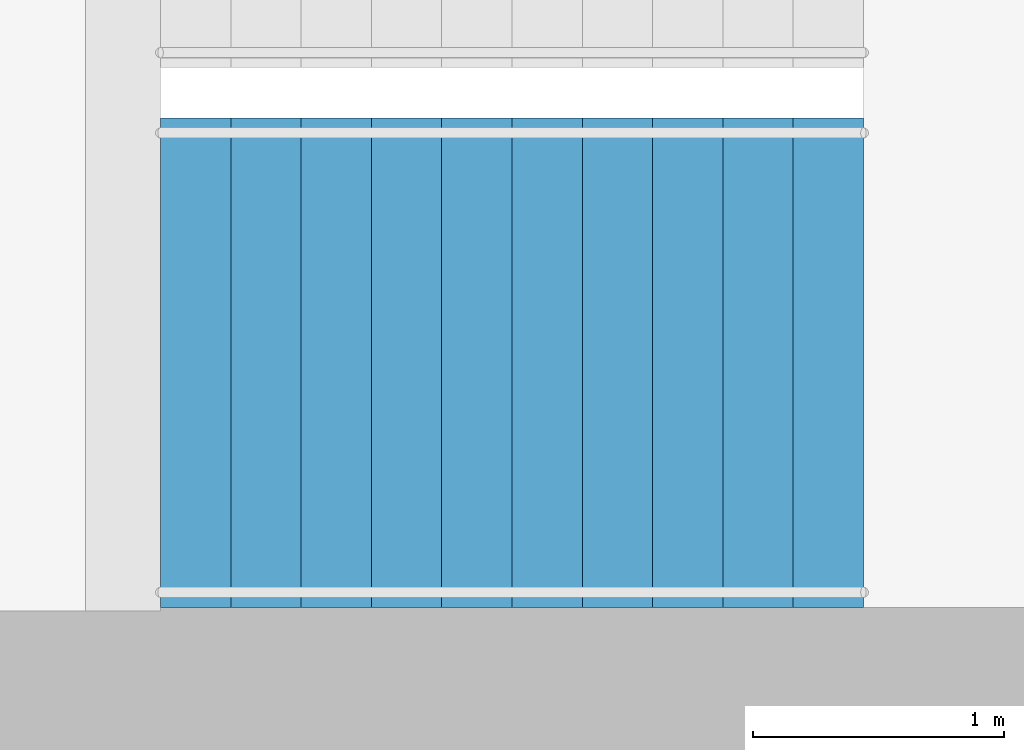
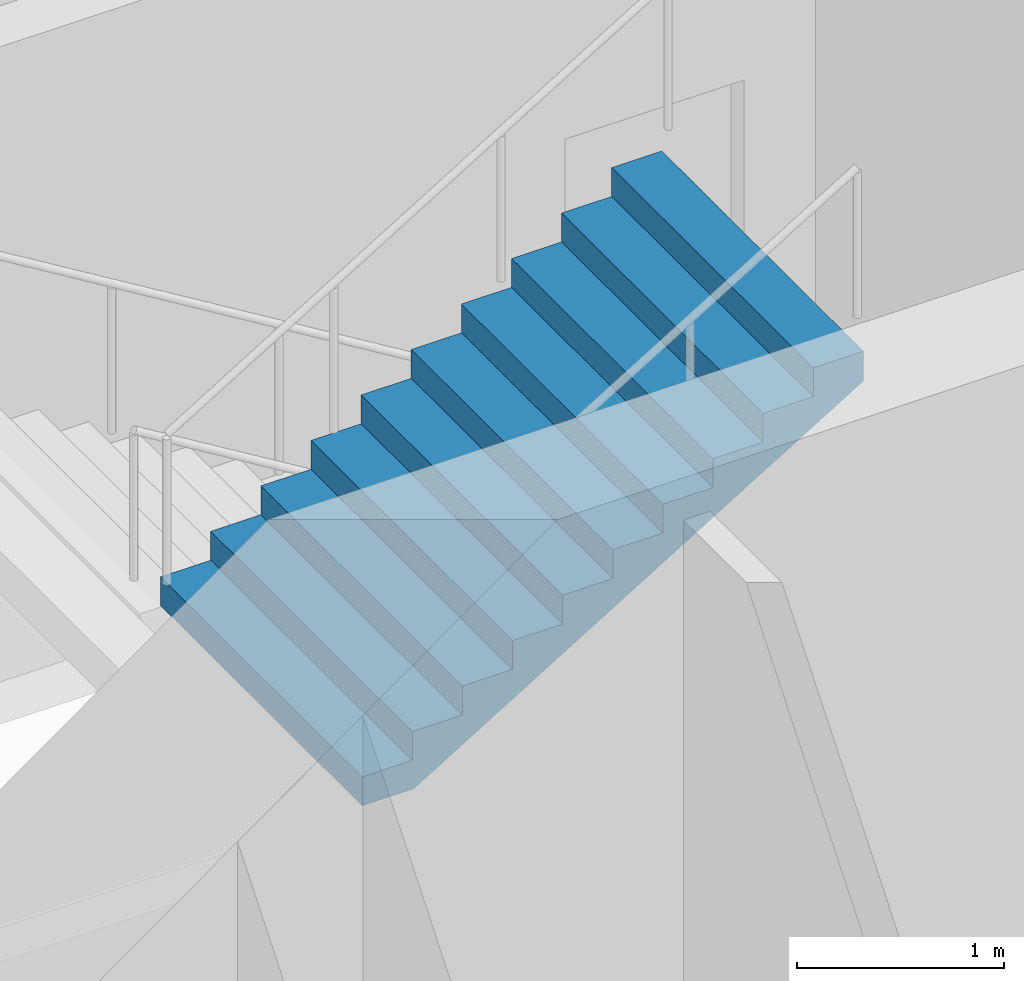
# One storey, part 21 of 23: 1 stair flight, 1 element without a shape of its own.
"""IFC4 building model written with IfcOpenShell, lengths in metres."""

import ifcopenshell
import ifcopenshell.guid

model = None  # the IFC model being written
_history = None  # IfcOwnerHistory: only IFC2X3 demands one
_inside = {}  # id of a spatial element -> (the spatial element, [elements in it])
_under = {}  # id of a project, library or spatial element -> (it, [spatial elements below it])
_declared = {}  # id of a project -> (the project, [libraries it declares])
_typed = {}  # id of a type object -> (the type object, [elements of that type])
_made_of = {}  # id of a material, layer set ... -> (it, [elements and type objects made of it])


def new_model(schema):
    """Start an empty IFC model of exactly this schema.

    Asked for "IFC4X3", IfcOpenShell would pick the latest addendum, in which some entities
    have other attributes; the version numbers below select the first issue.
    IFC2X3 requires an IfcOwnerHistory on every rooted entity: one is made here for all.
    """
    global model, _history
    if schema == "IFC4X3":
        model = ifcopenshell.file(schema_version=(4, 3, 0, 0))
    else:
        model = ifcopenshell.file(schema=schema)
    _inside.clear()
    _under.clear()
    _declared.clear()
    _typed.clear()
    _made_of.clear()
    _history = None
    if model.schema == "IFC2X3":
        org = make("IfcOrganization", Name="unknown")
        user = make(
            "IfcPersonAndOrganization",
            ThePerson=make("IfcPerson", FamilyName="unknown"),
            TheOrganization=org,
        )
        app = make(
            "IfcApplication",
            ApplicationDeveloper=org,
            Version="unknown",
            ApplicationFullName="unknown",
            ApplicationIdentifier="unknown",
        )
        _history = make(
            "IfcOwnerHistory",
            OwningUser=user,
            OwningApplication=app,
            ChangeAction="ADDED",
            CreationDate=0,
        )
    return model


def make(cls, **values):
    """One entity of the class cls with the attributes given. An attribute that is None is left unset."""
    return model.create_entity(
        cls, **{name: value for name, value in values.items() if value is not None}
    )


def rooted(cls, **values):
    """An entity with a GlobalId (a new one), such as an element, a storey or a relation."""
    return make(cls, GlobalId=ifcopenshell.guid.new(), OwnerHistory=_history, **values)


def si_unit(unit_type, name, prefix=None):
    """IfcSIUnit, for example si_unit("LENGTHUNIT", "METRE", prefix="MILLI")."""
    return make("IfcSIUnit", UnitType=unit_type, Prefix=prefix, Name=name)


def assignment(units):
    """IfcUnitAssignment: the units of a project."""
    return None if units is None else make("IfcUnitAssignment", Units=units)


def point(xyz):
    """IfcCartesianPoint."""
    return None if xyz is None else make("IfcCartesianPoint", Coordinates=xyz)


def direction(xyz):
    """IfcDirection."""
    return None if xyz is None else make("IfcDirection", DirectionRatios=xyz)


def frame(location, z_axis=None, x_axis=None):
    """IfcAxis2Placement3D, a coordinate frame: its origin and axes. An axis left out is left unset."""
    return make(
        "IfcAxis2Placement3D",
        Location=point(location),
        Axis=direction(z_axis),
        RefDirection=direction(x_axis),
    )


def origin():
    """The frame at (0, 0, 0) with its axes left unset."""
    return frame((0.0, 0.0, 0.0))


def place(relative_to, where):
    """IfcLocalPlacement: puts the frame where relative to a parent placement (None: the world)."""
    return make(
        "IfcLocalPlacement", PlacementRelTo=relative_to, RelativePlacement=where
    )


def context(
    kind, dimensions, precision=None, world=None, true_north=None, identifier=None
):
    """IfcGeometricRepresentationContext, for example the 3D "Model" context."""
    return make(
        "IfcGeometricRepresentationContext",
        ContextIdentifier=identifier,
        ContextType=kind,
        CoordinateSpaceDimension=dimensions,
        Precision=precision,
        WorldCoordinateSystem=world,
        TrueNorth=true_north,
    )


def subcontext(parent, identifier, kind, view, scale=None):
    """IfcGeometricRepresentationSubContext, for example "Body" below "Model"."""
    return make(
        "IfcGeometricRepresentationSubContext",
        ContextIdentifier=identifier,
        ContextType=kind,
        ParentContext=parent,
        TargetScale=scale,
        TargetView=view,
    )


def project(units=None, contexts=None):
    """IfcProject with its units and contexts."""
    return rooted(
        "IfcProject",
        Name="project",
        RepresentationContexts=contexts,
        UnitsInContext=assignment(units),
    )


def spatial(cls, under=None, at=None, **own):
    """A site, building, storey or space (cls), placed at a placement, below another one or the project."""
    s = rooted(cls, ObjectPlacement=at, **own)
    if under is not None:
        _under.setdefault(under.id(), (under, []))[1].append(s)
    return s


def point_list(points):
    """IfcCartesianPointList2D or 3D."""
    cls = (
        "IfcCartesianPointList2D" if len(points[0]) == 2 else "IfcCartesianPointList3D"
    )
    return make(cls, CoordList=points)


def triangles(points, corners, closed=None, point_numbers=None):
    """IfcTriangulatedFaceSet: each triangle names its three corners, points numbered from 1."""
    return make(
        "IfcTriangulatedFaceSet",
        Coordinates=point_list(points),
        Closed=closed,
        CoordIndex=corners,
        PnIndex=point_numbers,
    )


def shape(context_of_items, identifier, shape_type, items):
    """IfcShapeRepresentation: the items that make up one representation, for example the "Body"."""
    return make(
        "IfcShapeRepresentation",
        ContextOfItems=context_of_items,
        RepresentationIdentifier=identifier,
        RepresentationType=shape_type,
        Items=items,
    )


def material(Name=None, Category=None):
    """IfcMaterial."""
    return make("IfcMaterial", Name=Name, Category=Category)


def made_of(thing, what):
    """Note that an element or type object is made of a material, layer set ...; save() writes the relation."""
    if what is not None:
        _made_of.setdefault(what.id(), (what, []))[1].append(thing)
    return thing


def type_object(cls, material=None, **own):
    """A type object (cls), such as IfcWallType, which elements share."""
    return made_of(rooted(cls, **own), material)


def element(
    cls,
    number,
    at=None,
    inside=None,
    cuts=None,
    type_object=None,
    material=None,
    context=None,
    identifier="Body",
    shape_type=None,
    held_by="IfcProductDefinitionShape",
    body=None,
    shapes=None,
    **own,
):
    """One element of the class cls, such as IfcWall. Its Tag is "e" and its number.

    at: its placement. inside: the storey or other place that contains it. cuts: it is an
    opening in that element (IfcRelVoidsElement). A single representation is given by context,
    identifier, shape_type and body (its items); several are given by shapes. held_by: the class
    of the entity that holds the representations. save() writes the other relations.
    """
    e = rooted(cls, Tag="e%d" % number, ObjectPlacement=at, **own)
    if body is not None:
        shapes = [shape(context, identifier, shape_type, body)]
    if shapes is not None:
        e.Representation = make(held_by, Representations=shapes)
    if inside is not None:
        _inside.setdefault(inside.id(), (inside, []))[1].append(e)
    if cuts is not None:
        rooted(
            "IfcRelVoidsElement", RelatingBuildingElement=cuts, RelatedOpeningElement=e
        )
    if type_object is not None:
        _typed.setdefault(type_object.id(), (type_object, []))[1].append(e)
    return made_of(e, material)


def aggregate(whole, parts):
    """IfcRelAggregates: a whole, such as a stair, and the parts it consists of."""
    return rooted("IfcRelAggregates", RelatingObject=whole, RelatedObjects=parts)


def save(model, path):
    """Write the relations noted so far, then the file.

    IfcRelAggregates (storeys below a building ...), IfcRelContainedInSpatialStructure (elements
    in a storey), IfcRelDefinesByType, IfcRelAssociatesMaterial and IfcRelDeclares: one each for
    every whole, place, type object, material and project.
    """
    for whole, parts in _under.values():
        aggregate(whole, parts)
    for where, things in _inside.values():
        rooted(
            "IfcRelContainedInSpatialStructure",
            RelatedElements=things,
            RelatingStructure=where,
        )
    for kind, things in _typed.values():
        rooted("IfcRelDefinesByType", RelatedObjects=things, RelatingType=kind)
    for what, things in _made_of.values():
        rooted("IfcRelAssociatesMaterial", RelatedObjects=things, RelatingMaterial=what)
    for by, libraries in _declared.values():
        rooted("IfcRelDeclares", RelatingContext=by, RelatedDefinitions=libraries)
    model.write(path)


model = new_model("IFC4")

# Units and contexts
model_context = context("Model", 3, precision=1e-05, world=origin(), true_north=direction((0.0, 1.0)))
body_context = subcontext(model_context, "Body", "Model", "MODEL_VIEW")
ifc_project = project(units=[si_unit("LENGTHUNIT", "METRE"), si_unit("AREAUNIT", "SQUARE_METRE"), si_unit("VOLUMEUNIT", "CUBIC_METRE"), si_unit("PLANEANGLEUNIT", "RADIAN"), si_unit("MASSUNIT", "GRAM", prefix="KILO")], contexts=[model_context])

# Site, building, storey
site_placement = place(None, origin())
site = spatial("IfcSite", under=ifc_project, at=site_placement, CompositionType="ELEMENT")
building_placement = place(site_placement, origin())
building = spatial("IfcBuilding", under=site, at=building_placement, Name="Orbita Commons", CompositionType="ELEMENT")
storey_placement = place(building_placement, frame((0.0, 0.0, 220.300048828125)))
storey = spatial("IfcBuildingStorey", under=building, at=storey_placement, Name="L54", CompositionType="ELEMENT", Elevation=220.300048828125)

# Stair, stair flight
ifc_material_1 = material(Name="Precast concrete C40/50", Category="concrete")
stair_type = type_object("IfcStairType", Name="Exit stair S2 2 flights 11 risers 170", PredefinedType="HALF_TURN_STAIR", material=ifc_material_1)
stair_placement = place(storey_placement, origin())
stair = element("IfcStair", 1, at=stair_placement, inside=storey, type_object=stair_type, Name="Exit stair S2 L54", PredefinedType="HALF_TURN_STAIR")
ifc_material_2 = material(Name="Precast concrete C40/50", Category="concrete")
stair_flight_type = type_object("IfcStairFlightType", Name="Stair flight 11 risers 170 x 280", PredefinedType="STRAIGHT", material=ifc_material_2)
stair_flight_placement = place(storey_placement, frame((60.75, 27.125, 1.875), z_axis=(0.0, 0.0, 1.0), x_axis=(1.0, 0.0, 0.0)))
stair_flight = element("IfcStairFlight", 2, at=stair_flight_placement, type_object=stair_flight_type, Name="S2 flight 2", NumberOfRisers=11, NumberOfTreads=10, PredefinedType="STRAIGHT", RiserHeight=0.170454545, TreadLength=0.28, context=body_context, shape_type="Tessellation", body=[
    triangles([(0.0, 0.974976, 0.0), (0.0, 0.974976, 0.021307), (0.0, 0.81248, 0.021307), (0.0, 0.81248, 0.0), (0.0, 0.649984, 0.021307), (0.0, 0.649984, 0.0), (0.0, 0.487488, 0.021307), (0.0, 0.487488, 0.0), (0.0, 0.324992, 0.021307), (0.0, 0.324992, 0.0), (0.0, 0.162496, 0.021307), (0.0, 0.162496, 0.0), (0.0, 0.0, 0.021307), (0.0, 0.0, 0.0), (0.0, -0.162496, 0.021307), (0.0, -0.162496, 0.0), (0.0, -0.324992, 0.021307), (0.0, -0.324992, 0.0), (0.0, -0.487488, 0.021307), (0.0, -0.487488, 0.0), (0.0, -0.649984, 0.021307), (0.0, -0.649984, 0.0), (0.0, -0.81248, 0.021307), (0.0, -0.81248, 0.0), (0.0, -0.974976, 0.021307), (0.0, -0.974976, 0.0), (0.0, 0.974976, 0.042614), (0.0, 0.81248, 0.042614), (0.0, 0.649984, 0.042614), (0.0, 0.487488, 0.042614), (0.0, 0.324992, 0.042614), (0.0, 0.162496, 0.042614), (0.0, 0.0, 0.042614), (0.0, -0.162496, 0.042614), (0.0, -0.324992, 0.042614), (0.0, -0.487488, 0.042614), (0.0, -0.649984, 0.042614), (0.0, -0.81248, 0.042614), (0.0, -0.974976, 0.042614), (0.0, 0.974976, 0.06392), (0.0, 0.81248, 0.06392), (0.0, 0.649984, 0.06392), (0.0, 0.487488, 0.06392), (0.0, 0.324992, 0.06392), (0.0, 0.162496, 0.06392), (0.0, 0.0, 0.06392), (0.0, -0.162496, 0.06392), (0.0, -0.324992, 0.06392), (0.0, -0.487488, 0.06392), (0.0, -0.649984, 0.06392), (0.0, -0.81248, 0.06392), (0.0, -0.974976, 0.06392), (0.0, 0.974976, 0.085227), (0.0, 0.81248, 0.085227), (0.0, 0.649984, 0.085227), (0.0, 0.487488, 0.085227), (0.0, 0.324992, 0.085227), (0.0, 0.162496, 0.085227), (0.0, 0.0, 0.085227), (0.0, -0.162496, 0.085227), (0.0, -0.324992, 0.085227), (0.0, -0.487488, 0.085227), (0.0, -0.649984, 0.085227), (0.0, -0.81248, 0.085227), (0.0, -0.974976, 0.085227), (0.0, 0.974976, 0.106534), (0.0, 0.81248, 0.106534), (0.0, 0.649984, 0.106534), (0.0, 0.487488, 0.106534), (0.0, 0.324992, 0.106534), (0.0, 0.162496, 0.106534), (0.0, 0.0, 0.106534), (0.0, -0.162496, 0.106534), (0.0, -0.324992, 0.106534), (0.0, -0.487488, 0.106534), (0.0, -0.649984, 0.106534), (0.0, -0.81248, 0.106534), (0.0, -0.974976, 0.106534), (0.0, 0.974976, 0.127841), (0.0, 0.81248, 0.127841), (0.0, 0.649984, 0.127841), (0.0, 0.487488, 0.127841), (0.0, 0.324992, 0.127841), (0.0, 0.162496, 0.127841), (0.0, 0.0, 0.127841), (0.0, -0.162496, 0.127841), (0.0, -0.324992, 0.127841), (0.0, -0.487488, 0.127841), (0.0, -0.649984, 0.127841), (0.0, -0.81248, 0.127841), (0.0, -0.974976, 0.127841), (0.0, 0.974976, 0.149148), (0.0, 0.81248, 0.149148), (0.0, 0.649984, 0.149148), (0.0, 0.487488, 0.149148), (0.0, 0.324992, 0.149148), (0.0, 0.162496, 0.149148), (0.0, 0.0, 0.149148), (0.0, -0.162496, 0.149148), (0.0, -0.324992, 0.149148), (0.0, -0.487488, 0.149148), (0.0, -0.649984, 0.149148), (0.0, -0.81248, 0.149148), (0.0, -0.974976, 0.149148), (0.0, 0.974976, 0.170455), (0.0, 0.81248, 0.170455), (0.0, 0.649984, 0.170455), (0.0, 0.487488, 0.170455), (0.0, 0.324992, 0.170455), (0.0, 0.162496, 0.170455), (0.0, 0.0, 0.170455), (0.0, -0.162496, 0.170455), (0.0, -0.324992, 0.170455), (0.0, -0.487488, 0.170455), (0.0, -0.649984, 0.170455), (0.0, -0.81248, 0.170455), (0.0, -0.974976, 0.170455), (0.28, 0.974976, 0.170455), (0.28, 0.81248, 0.170455), (0.28, 0.649984, 0.170455), (0.28, 0.487488, 0.170455), (0.28, 0.324992, 0.170455), (0.28, 0.162496, 0.170455), (0.28, 0.0, 0.170455), (0.28, -0.162496, 0.170455), (0.28, -0.324992, 0.170455), (0.28, -0.487488, 0.170455), (0.28, -0.649984, 0.170455), (0.28, -0.81248, 0.170455), (0.28, -0.974976, 0.170455), (0.28, 0.974976, 0.340909), (0.28, 0.81248, 0.340909), (0.28, 0.649984, 0.340909), (0.28, 0.487488, 0.340909), (0.28, 0.324992, 0.340909), (0.28, 0.162496, 0.340909), (0.28, 0.0, 0.340909), (0.28, -0.162496, 0.340909), (0.28, -0.324992, 0.340909), (0.28, -0.487488, 0.340909), (0.28, -0.649984, 0.340909), (0.28, -0.81248, 0.340909), (0.28, -0.974976, 0.340909), (0.56, 0.974976, 0.340909), (0.56, 0.81248, 0.340909), (0.56, 0.649984, 0.340909), (0.56, 0.487488, 0.340909), (0.56, 0.324992, 0.340909), (0.56, 0.162496, 0.340909), (0.56, 0.0, 0.340909), (0.56, -0.162496, 0.340909), (0.56, -0.324992, 0.340909), (0.56, -0.487488, 0.340909), (0.56, -0.649984, 0.340909), (0.56, -0.81248, 0.340909), (0.56, -0.974976, 0.340909), (0.56, 0.974976, 0.511364), (0.56, 0.81248, 0.511364), (0.56, 0.649984, 0.511364), (0.56, 0.487488, 0.511364), (0.56, 0.324992, 0.511364), (0.56, 0.162496, 0.511364), (0.56, 0.0, 0.511364), (0.56, -0.162496, 0.511364), (0.56, -0.324992, 0.511364), (0.56, -0.487488, 0.511364), (0.56, -0.649984, 0.511364), (0.56, -0.81248, 0.511364), (0.56, -0.974976, 0.511364), (0.84, 0.974976, 0.511364), (0.84, 0.81248, 0.511364), (0.84, 0.649984, 0.511364), (0.84, 0.487488, 0.511364), (0.84, 0.324992, 0.511364), (0.84, 0.162496, 0.511364), (0.84, 0.0, 0.511364), (0.84, -0.162496, 0.511364), (0.84, -0.324992, 0.511364), (0.84, -0.487488, 0.511364), (0.84, -0.649984, 0.511364), (0.84, -0.81248, 0.511364), (0.84, -0.974976, 0.511364), (0.84, 0.974976, 0.681818), (0.84, 0.81248, 0.681818), (0.84, 0.649984, 0.681818), (0.84, 0.487488, 0.681818), (0.84, 0.324992, 0.681818), (0.84, 0.162496, 0.681818), (0.84, 0.0, 0.681818), (0.84, -0.162496, 0.681818), (0.84, -0.324992, 0.681818), (0.84, -0.487488, 0.681818), (0.84, -0.649984, 0.681818), (0.84, -0.81248, 0.681818), (0.84, -0.974976, 0.681818), (1.12, 0.974976, 0.681818), (1.12, 0.81248, 0.681818), (1.12, 0.649984, 0.681818), (1.12, 0.487488, 0.681818), (1.12, 0.324992, 0.681818), (1.12, 0.162496, 0.681818), (1.12, 0.0, 0.681818), (1.12, -0.162496, 0.681818), (1.12, -0.324992, 0.681818), (1.12, -0.487488, 0.681818), (1.12, -0.649984, 0.681818), (1.12, -0.81248, 0.681818), (1.12, -0.974976, 0.681818), (1.12, 0.974976, 0.852273), (1.12, 0.81248, 0.852273), (1.12, 0.649984, 0.852273), (1.12, 0.487488, 0.852273), (1.12, 0.324992, 0.852273), (1.12, 0.162496, 0.852273), (1.12, 0.0, 0.852273), (1.12, -0.162496, 0.852273), (1.12, -0.324992, 0.852273), (1.12, -0.487488, 0.852273), (1.12, -0.649984, 0.852273), (1.12, -0.81248, 0.852273), (1.12, -0.974976, 0.852273), (1.4, 0.974976, 0.852273), (1.4, 0.81248, 0.852273), (1.4, 0.649984, 0.852273), (1.4, 0.487488, 0.852273), (1.4, 0.324992, 0.852273), (1.4, 0.162496, 0.852273), (1.4, 0.0, 0.852273), (1.4, -0.162496, 0.852273), (1.4, -0.324992, 0.852273), (1.4, -0.487488, 0.852273), (1.4, -0.649984, 0.852273), (1.4, -0.81248, 0.852273), (1.4, -0.974976, 0.852273), (1.4, 0.974976, 1.022727), (1.4, 0.81248, 1.022727), (1.4, 0.649984, 1.022727), (1.4, 0.487488, 1.022727), (1.4, 0.324992, 1.022727), (1.4, 0.162496, 1.022727), (1.4, 0.0, 1.022727), (1.4, -0.162496, 1.022727), (1.4, -0.324992, 1.022727), (1.4, -0.487488, 1.022727), (1.4, -0.649984, 1.022727), (1.4, -0.81248, 1.022727), (1.4, -0.974976, 1.022727), (1.68, 0.974976, 1.022727), (1.68, 0.81248, 1.022727), (1.68, 0.649984, 1.022727), (1.68, 0.487488, 1.022727), (1.68, 0.324992, 1.022727), (1.68, 0.162496, 1.022727), (1.68, 0.0, 1.022727), (1.68, -0.162496, 1.022727), (1.68, -0.324992, 1.022727), (1.68, -0.487488, 1.022727), (1.68, -0.649984, 1.022727), (1.68, -0.81248, 1.022727), (1.68, -0.974976, 1.022727), (1.68, 0.974976, 1.193182), (1.68, 0.81248, 1.193182), (1.68, 0.649984, 1.193182), (1.68, 0.487488, 1.193182), (1.68, 0.324992, 1.193182), (1.68, 0.162496, 1.193182), (1.68, 0.0, 1.193182), (1.68, -0.162496, 1.193182), (1.68, -0.324992, 1.193182), (1.68, -0.487488, 1.193182), (1.68, -0.649984, 1.193182), (1.68, -0.81248, 1.193182), (1.68, -0.974976, 1.193182), (1.96, 0.974976, 1.193182), (1.96, 0.81248, 1.193182), (1.96, 0.649984, 1.193182), (1.96, 0.487488, 1.193182), (1.96, 0.324992, 1.193182), (1.96, 0.162496, 1.193182), (1.96, 0.0, 1.193182), (1.96, -0.162496, 1.193182), (1.96, -0.324992, 1.193182), (1.96, -0.487488, 1.193182), (1.96, -0.649984, 1.193182), (1.96, -0.81248, 1.193182), (1.96, -0.974976, 1.193182), (1.96, 0.974976, 1.363636), (1.96, 0.81248, 1.363636), (1.96, 0.649984, 1.363636), (1.96, 0.487488, 1.363636), (1.96, 0.324992, 1.363636), (1.96, 0.162496, 1.363636), (1.96, 0.0, 1.363636), (1.96, -0.162496, 1.363636), (1.96, -0.324992, 1.363636), (1.96, -0.487488, 1.363636), (1.96, -0.649984, 1.363636), (1.96, -0.81248, 1.363636), (1.96, -0.974976, 1.363636), (2.24, 0.974976, 1.363636), (2.24, 0.81248, 1.363636), (2.24, 0.649984, 1.363636), (2.24, 0.487488, 1.363636), (2.24, 0.324992, 1.363636), (2.24, 0.162496, 1.363636), (2.24, 0.0, 1.363636), (2.24, -0.162496, 1.363636), (2.24, -0.324992, 1.363636), (2.24, -0.487488, 1.363636), (2.24, -0.649984, 1.363636), (2.24, -0.81248, 1.363636), (2.24, -0.974976, 1.363636), (2.24, 0.974976, 1.534091), (2.24, 0.81248, 1.534091), (2.24, 0.649984, 1.534091), (2.24, 0.487488, 1.534091), (2.24, 0.324992, 1.534091), (2.24, 0.162496, 1.534091), (2.24, 0.0, 1.534091), (2.24, -0.162496, 1.534091), (2.24, -0.324992, 1.534091), (2.24, -0.487488, 1.534091), (2.24, -0.649984, 1.534091), (2.24, -0.81248, 1.534091), (2.24, -0.974976, 1.534091), (2.52, 0.974976, 1.534091), (2.52, 0.81248, 1.534091), (2.52, 0.649984, 1.534091), (2.52, 0.487488, 1.534091), (2.52, 0.324992, 1.534091), (2.52, 0.162496, 1.534091), (2.52, 0.0, 1.534091), (2.52, -0.162496, 1.534091), (2.52, -0.324992, 1.534091), (2.52, -0.487488, 1.534091), (2.52, -0.649984, 1.534091), (2.52, -0.81248, 1.534091), (2.52, -0.974976, 1.534091), (2.52, 0.974976, 1.704545), (2.52, 0.81248, 1.704545), (2.52, 0.649984, 1.704545), (2.52, 0.487488, 1.704545), (2.52, 0.324992, 1.704545), (2.52, 0.162496, 1.704545), (2.52, 0.0, 1.704545), (2.52, -0.162496, 1.704545), (2.52, -0.324992, 1.704545), (2.52, -0.487488, 1.704545), (2.52, -0.649984, 1.704545), (2.52, -0.81248, 1.704545), (2.52, -0.974976, 1.704545), (2.8, 0.974976, 1.704545), (2.8, 0.81248, 1.704545), (2.8, 0.649984, 1.704545), (2.8, 0.487488, 1.704545), (2.8, 0.324992, 1.704545), (2.8, 0.162496, 1.704545), (2.8, 0.0, 1.704545), (2.8, -0.162496, 1.704545), (2.8, -0.324992, 1.704545), (2.8, -0.487488, 1.704545), (2.8, -0.649984, 1.704545), (2.8, -0.81248, 1.704545), (2.8, -0.974976, 1.704545), (2.8, 0.974976, 1.682609), (2.8, 0.81248, 1.682609), (2.8, 0.649984, 1.682609), (2.8, 0.487488, 1.682609), (2.8, 0.324992, 1.682609), (2.8, 0.162496, 1.682609), (2.8, 0.0, 1.682609), (2.8, -0.162496, 1.682609), (2.8, -0.324992, 1.682609), (2.8, -0.487488, 1.682609), (2.8, -0.649984, 1.682609), (2.8, -0.81248, 1.682609), (2.8, -0.974976, 1.682609), (2.8, 0.974976, 1.660672), (2.8, 0.81248, 1.660672), (2.8, 0.649984, 1.660672), (2.8, 0.487488, 1.660672), (2.8, 0.324992, 1.660672), (2.8, 0.162496, 1.660672), (2.8, 0.0, 1.660672), (2.8, -0.162496, 1.660672), (2.8, -0.324992, 1.660672), (2.8, -0.487488, 1.660672), (2.8, -0.649984, 1.660672), (2.8, -0.81248, 1.660672), (2.8, -0.974976, 1.660672), (2.8, 0.974976, 1.638735), (2.8, 0.81248, 1.638735), (2.8, 0.649984, 1.638735), (2.8, 0.487488, 1.638735), (2.8, 0.324992, 1.638735), (2.8, 0.162496, 1.638735), (2.8, 0.0, 1.638735), (2.8, -0.162496, 1.638735), (2.8, -0.324992, 1.638735), (2.8, -0.487488, 1.638735), (2.8, -0.649984, 1.638735), (2.8, -0.81248, 1.638735), (2.8, -0.974976, 1.638735), (2.8, 0.974976, 1.616798), (2.8, 0.81248, 1.616798), (2.8, 0.649984, 1.616798), (2.8, 0.487488, 1.616798), (2.8, 0.324992, 1.616798), (2.8, 0.162496, 1.616798), (2.8, 0.0, 1.616798), (2.8, -0.162496, 1.616798), (2.8, -0.324992, 1.616798), (2.8, -0.487488, 1.616798), (2.8, -0.649984, 1.616798), (2.8, -0.81248, 1.616798), (2.8, -0.974976, 1.616798), (2.8, 0.974976, 1.594861), (2.8, 0.81248, 1.594861), (2.8, 0.649984, 1.594861), (2.8, 0.487488, 1.594861), (2.8, 0.324992, 1.594861), (2.8, 0.162496, 1.594861), (2.8, 0.0, 1.594861), (2.8, -0.162496, 1.594861), (2.8, -0.324992, 1.594861), (2.8, -0.487488, 1.594861), (2.8, -0.649984, 1.594861), (2.8, -0.81248, 1.594861), (2.8, -0.974976, 1.594861), (2.8, 0.974976, 1.572925), (2.8, 0.81248, 1.572925), (2.8, 0.649984, 1.572925), (2.8, 0.487488, 1.572925), (2.8, 0.324992, 1.572925), (2.8, 0.162496, 1.572925), (2.8, 0.0, 1.572925), (2.8, -0.162496, 1.572925), (2.8, -0.324992, 1.572925), (2.8, -0.487488, 1.572925), (2.8, -0.649984, 1.572925), (2.8, -0.81248, 1.572925), (2.8, -0.974976, 1.572925), (2.8, 0.974976, 1.550988), (2.8, 0.81248, 1.550988), (2.8, 0.649984, 1.550988), (2.8, 0.487488, 1.550988), (2.8, 0.324992, 1.550988), (2.8, 0.162496, 1.550988), (2.8, 0.0, 1.550988), (2.8, -0.162496, 1.550988), (2.8, -0.324992, 1.550988), (2.8, -0.487488, 1.550988), (2.8, -0.649984, 1.550988), (2.8, -0.81248, 1.550988), (2.8, -0.974976, 1.550988), (2.8, 0.974976, 1.529051), (2.8, 0.81248, 1.529051), (2.8, 0.649984, 1.529051), (2.8, 0.487488, 1.529051), (2.8, 0.324992, 1.529051), (2.8, 0.162496, 1.529051), (2.8, 0.0, 1.529051), (2.8, -0.162496, 1.529051), (2.8, -0.324992, 1.529051), (2.8, -0.487488, 1.529051), (2.8, -0.649984, 1.529051), (2.8, -0.81248, 1.529051), (2.8, -0.974976, 1.529051), (0.288279, 0.974976, 0.0), (0.288279, 0.81248, 0.0), (0.288279, 0.649984, 0.0), (0.288279, 0.487488, 0.0), (0.288279, 0.324992, 0.0), (0.288279, 0.162496, 0.0), (0.288279, 0.0, 0.0), (0.288279, -0.162496, 0.0), (0.288279, -0.324992, 0.0), (0.288279, -0.487488, 0.0), (0.288279, -0.649984, 0.0), (0.288279, -0.81248, 0.0), (0.288279, -0.974976, 0.0)], [[3, 2, 1], [4, 3, 1], [5, 3, 4], [6, 5, 4], [7, 5, 6], [8, 7, 6], [9, 7, 8], [10, 9, 8], [11, 9, 10], [12, 11, 10], [13, 11, 12], [14, 13, 12], [15, 13, 14], [16, 15, 14], [17, 15, 16], [18, 17, 16], [19, 17, 18], [20, 19, 18], [21, 19, 20], [22, 21, 20], [23, 21, 22], [24, 23, 22], [25, 23, 24], [26, 25, 24], [28, 27, 2], [3, 28, 2], [29, 28, 3], [5, 29, 3], [30, 29, 5], [7, 30, 5], [31, 30, 7], [9, 31, 7], [32, 31, 9], [11, 32, 9], [33, 32, 11], [13, 33, 11], [34, 33, 13], [15, 34, 13], [35, 34, 15], [17, 35, 15], [36, 35, 17], [19, 36, 17], [37, 36, 19], [21, 37, 19], [38, 37, 21], [23, 38, 21], [39, 38, 23], [25, 39, 23], [41, 40, 27], [28, 41, 27], [42, 41, 28], [29, 42, 28], [43, 42, 29], [30, 43, 29], [44, 43, 30], [31, 44, 30], [45, 44, 31], [32, 45, 31], [46, 45, 32], [33, 46, 32], [47, 46, 33], [34, 47, 33], [48, 47, 34], [35, 48, 34], [49, 48, 35], [36, 49, 35], [50, 49, 36], [37, 50, 36], [51, 50, 37], [38, 51, 37], [52, 51, 38], [39, 52, 38], [54, 53, 40], [41, 54, 40], [55, 54, 41], [42, 55, 41], [56, 55, 42], [43, 56, 42], [57, 56, 43], [44, 57, 43], [58, 57, 44], [45, 58, 44], [59, 58, 45], [46, 59, 45], [60, 59, 46], [47, 60, 46], [61, 60, 47], [48, 61, 47], [62, 61, 48], [49, 62, 48], [63, 62, 49], [50, 63, 49], [64, 63, 50], [51, 64, 50], [65, 64, 51], [52, 65, 51], [67, 66, 53], [54, 67, 53], [68, 67, 54], [55, 68, 54], [69, 68, 55], [56, 69, 55], [70, 69, 56], [57, 70, 56], [71, 70, 57], [58, 71, 57], [72, 71, 58], [59, 72, 58], [73, 72, 59], [60, 73, 59], [74, 73, 60], [61, 74, 60], [75, 74, 61], [62, 75, 61], [76, 75, 62], [63, 76, 62], [77, 76, 63], [64, 77, 63], [78, 77, 64], [65, 78, 64], [80, 79, 66], [67, 80, 66], [81, 80, 67], [68, 81, 67], [82, 81, 68], [69, 82, 68], [83, 82, 69], [70, 83, 69], [84, 83, 70], [71, 84, 70], [85, 84, 71], [72, 85, 71], [86, 85, 72], [73, 86, 72], [87, 86, 73], [74, 87, 73], [88, 87, 74], [75, 88, 74], [89, 88, 75], [76, 89, 75], [90, 89, 76], [77, 90, 76], [91, 90, 77], [78, 91, 77], [93, 92, 79], [80, 93, 79], [94, 93, 80], [81, 94, 80], [95, 94, 81], [82, 95, 81], [96, 95, 82], [83, 96, 82], [97, 96, 83], [84, 97, 83], [98, 97, 84], [85, 98, 84], [99, 98, 85], [86, 99, 85], [100, 99, 86], [87, 100, 86], [101, 100, 87], [88, 101, 87], [102, 101, 88], [89, 102, 88], [103, 102, 89], [90, 103, 89], [104, 103, 90], [91, 104, 90], [106, 105, 92], [93, 106, 92], [107, 106, 93], [94, 107, 93], [108, 107, 94], [95, 108, 94], [109, 108, 95], [96, 109, 95], [110, 109, 96], [97, 110, 96], [111, 110, 97], [98, 111, 97], [112, 111, 98], [99, 112, 98], [113, 112, 99], [100, 113, 99], [114, 113, 100], [101, 114, 100], [115, 114, 101], [102, 115, 101], [116, 115, 102], [103, 116, 102], [117, 116, 103], [104, 117, 103], [119, 118, 105], [106, 119, 105], [120, 119, 106], [107, 120, 106], [121, 120, 107], [108, 121, 107], [122, 121, 108], [109, 122, 108], [123, 122, 109], [110, 123, 109], [124, 123, 110], [111, 124, 110], [125, 124, 111], [112, 125, 111], [126, 125, 112], [113, 126, 112], [127, 126, 113], [114, 127, 113], [128, 127, 114], [115, 128, 114], [129, 128, 115], [116, 129, 115], [130, 129, 116], [117, 130, 116], [132, 131, 118], [119, 132, 118], [133, 132, 119], [120, 133, 119], [134, 133, 120], [121, 134, 120], [135, 134, 121], [122, 135, 121], [136, 135, 122], [123, 136, 122], [137, 136, 123], [124, 137, 123], [138, 137, 124], [125, 138, 124], [139, 138, 125], [126, 139, 125], [140, 139, 126], [127, 140, 126], [141, 140, 127], [128, 141, 127], [142, 141, 128], [129, 142, 128], [143, 142, 129], [130, 143, 129], [145, 144, 131], [132, 145, 131], [146, 145, 132], [133, 146, 132], [147, 146, 133], [134, 147, 133], [148, 147, 134], [135, 148, 134], [149, 148, 135], [136, 149, 135], [150, 149, 136], [137, 150, 136], [151, 150, 137], [138, 151, 137], [152, 151, 138], [139, 152, 138], [153, 152, 139], [140, 153, 139], [154, 153, 140], [141, 154, 140], [155, 154, 141], [142, 155, 141], [156, 155, 142], [143, 156, 142], [158, 157, 144], [145, 158, 144], [159, 158, 145], [146, 159, 145], [160, 159, 146], [147, 160, 146], [161, 160, 147], [148, 161, 147], [162, 161, 148], [149, 162, 148], [163, 162, 149], [150, 163, 149], [164, 163, 150], [151, 164, 150], [165, 164, 151], [152, 165, 151], [166, 165, 152], [153, 166, 152], [167, 166, 153], [154, 167, 153], [168, 167, 154], [155, 168, 154], [169, 168, 155], [156, 169, 155], [171, 170, 157], [158, 171, 157], [172, 171, 158], [159, 172, 158], [173, 172, 159], [160, 173, 159], [174, 173, 160], [161, 174, 160], [175, 174, 161], [162, 175, 161], [176, 175, 162], [163, 176, 162], [177, 176, 163], [164, 177, 163], [178, 177, 164], [165, 178, 164], [179, 178, 165], [166, 179, 165], [180, 179, 166], [167, 180, 166], [181, 180, 167], [168, 181, 167], [182, 181, 168], [169, 182, 168], [184, 183, 170], [171, 184, 170], [185, 184, 171], [172, 185, 171], [186, 185, 172], [173, 186, 172], [187, 186, 173], [174, 187, 173], [188, 187, 174], [175, 188, 174], [189, 188, 175], [176, 189, 175], [190, 189, 176], [177, 190, 176], [191, 190, 177], [178, 191, 177], [192, 191, 178], [179, 192, 178], [193, 192, 179], [180, 193, 179], [194, 193, 180], [181, 194, 180], [195, 194, 181], [182, 195, 181], [197, 196, 183], [184, 197, 183], [198, 197, 184], [185, 198, 184], [199, 198, 185], [186, 199, 185], [200, 199, 186], [187, 200, 186], [201, 200, 187], [188, 201, 187], [202, 201, 188], [189, 202, 188], [203, 202, 189], [190, 203, 189], [204, 203, 190], [191, 204, 190], [205, 204, 191], [192, 205, 191], [206, 205, 192], [193, 206, 192], [207, 206, 193], [194, 207, 193], [208, 207, 194], [195, 208, 194], [210, 209, 196], [197, 210, 196], [211, 210, 197], [198, 211, 197], [212, 211, 198], [199, 212, 198], [213, 212, 199], [200, 213, 199], [214, 213, 200], [201, 214, 200], [215, 214, 201], [202, 215, 201], [216, 215, 202], [203, 216, 202], [217, 216, 203], [204, 217, 203], [218, 217, 204], [205, 218, 204], [219, 218, 205], [206, 219, 205], [220, 219, 206], [207, 220, 206], [221, 220, 207], [208, 221, 207], [223, 222, 209], [210, 223, 209], [224, 223, 210], [211, 224, 210], [225, 224, 211], [212, 225, 211], [226, 225, 212], [213, 226, 212], [227, 226, 213], [214, 227, 213], [228, 227, 214], [215, 228, 214], [229, 228, 215], [216, 229, 215], [230, 229, 216], [217, 230, 216], [231, 230, 217], [218, 231, 217], [232, 231, 218], [219, 232, 218], [233, 232, 219], [220, 233, 219], [234, 233, 220], [221, 234, 220], [236, 235, 222], [223, 236, 222], [237, 236, 223], [224, 237, 223], [238, 237, 224], [225, 238, 224], [239, 238, 225], [226, 239, 225], [240, 239, 226], [227, 240, 226], [241, 240, 227], [228, 241, 227], [242, 241, 228], [229, 242, 228], [243, 242, 229], [230, 243, 229], [244, 243, 230], [231, 244, 230], [245, 244, 231], [232, 245, 231], [246, 245, 232], [233, 246, 232], [247, 246, 233], [234, 247, 233], [249, 248, 235], [236, 249, 235], [250, 249, 236], [237, 250, 236], [251, 250, 237], [238, 251, 237], [252, 251, 238], [239, 252, 238], [253, 252, 239], [240, 253, 239], [254, 253, 240], [241, 254, 240], [255, 254, 241], [242, 255, 241], [256, 255, 242], [243, 256, 242], [257, 256, 243], [244, 257, 243], [258, 257, 244], [245, 258, 244], [259, 258, 245], [246, 259, 245], [260, 259, 246], [247, 260, 246], [262, 261, 248], [249, 262, 248], [263, 262, 249], [250, 263, 249], [264, 263, 250], [251, 264, 250], [265, 264, 251], [252, 265, 251], [266, 265, 252], [253, 266, 252], [267, 266, 253], [254, 267, 253], [268, 267, 254], [255, 268, 254], [269, 268, 255], [256, 269, 255], [270, 269, 256], [257, 270, 256], [271, 270, 257], [258, 271, 257], [272, 271, 258], [259, 272, 258], [273, 272, 259], [260, 273, 259], [275, 274, 261], [262, 275, 261], [276, 275, 262], [263, 276, 262], [277, 276, 263], [264, 277, 263], [278, 277, 264], [265, 278, 264], [279, 278, 265], [266, 279, 265], [280, 279, 266], [267, 280, 266], [281, 280, 267], [268, 281, 267], [282, 281, 268], [269, 282, 268], [283, 282, 269], [270, 283, 269], [284, 283, 270], [271, 284, 270], [285, 284, 271], [272, 285, 271], [286, 285, 272], [273, 286, 272], [288, 287, 274], [275, 288, 274], [289, 288, 275], [276, 289, 275], [290, 289, 276], [277, 290, 276], [291, 290, 277], [278, 291, 277], [292, 291, 278], [279, 292, 278], [293, 292, 279], [280, 293, 279], [294, 293, 280], [281, 294, 280], [295, 294, 281], [282, 295, 281], [296, 295, 282], [283, 296, 282], [297, 296, 283], [284, 297, 283], [298, 297, 284], [285, 298, 284], [299, 298, 285], [286, 299, 285], [301, 300, 287], [288, 301, 287], [302, 301, 288], [289, 302, 288], [303, 302, 289], [290, 303, 289], [304, 303, 290], [291, 304, 290], [305, 304, 291], [292, 305, 291], [306, 305, 292], [293, 306, 292], [307, 306, 293], [294, 307, 293], [308, 307, 294], [295, 308, 294], [309, 308, 295], [296, 309, 295], [310, 309, 296], [297, 310, 296], [311, 310, 297], [298, 311, 297], [312, 311, 298], [299, 312, 298], [314, 313, 300], [301, 314, 300], [315, 314, 301], [302, 315, 301], [316, 315, 302], [303, 316, 302], [317, 316, 303], [304, 317, 303], [318, 317, 304], [305, 318, 304], [319, 318, 305], [306, 319, 305], [320, 319, 306], [307, 320, 306], [321, 320, 307], [308, 321, 307], [322, 321, 308], [309, 322, 308], [323, 322, 309], [310, 323, 309], [324, 323, 310], [311, 324, 310], [325, 324, 311], [312, 325, 311], [327, 326, 313], [314, 327, 313], [328, 327, 314], [315, 328, 314], [329, 328, 315], [316, 329, 315], [330, 329, 316], [317, 330, 316], [331, 330, 317], [318, 331, 317], [332, 331, 318], [319, 332, 318], [333, 332, 319], [320, 333, 319], [334, 333, 320], [321, 334, 320], [335, 334, 321], [322, 335, 321], [336, 335, 322], [323, 336, 322], [337, 336, 323], [324, 337, 323], [338, 337, 324], [325, 338, 324], [340, 339, 326], [327, 340, 326], [341, 340, 327], [328, 341, 327], [342, 341, 328], [329, 342, 328], [343, 342, 329], [330, 343, 329], [344, 343, 330], [331, 344, 330], [345, 344, 331], [332, 345, 331], [346, 345, 332], [333, 346, 332], [347, 346, 333], [334, 347, 333], [348, 347, 334], [335, 348, 334], [349, 348, 335], [336, 349, 335], [350, 349, 336], [337, 350, 336], [351, 350, 337], [338, 351, 337], [353, 352, 339], [340, 353, 339], [354, 353, 340], [341, 354, 340], [355, 354, 341], [342, 355, 341], [356, 355, 342], [343, 356, 342], [357, 356, 343], [344, 357, 343], [358, 357, 344], [345, 358, 344], [359, 358, 345], [346, 359, 345], [360, 359, 346], [347, 360, 346], [361, 360, 347], [348, 361, 347], [362, 361, 348], [349, 362, 348], [363, 362, 349], [350, 363, 349], [364, 363, 350], [351, 364, 350], [366, 365, 352], [353, 366, 352], [367, 366, 353], [354, 367, 353], [368, 367, 354], [355, 368, 354], [369, 368, 355], [356, 369, 355], [370, 369, 356], [357, 370, 356], [371, 370, 357], [358, 371, 357], [372, 371, 358], [359, 372, 358], [373, 372, 359], [360, 373, 359], [374, 373, 360], [361, 374, 360], [375, 374, 361], [362, 375, 361], [376, 375, 362], [363, 376, 362], [377, 376, 363], [364, 377, 363], [379, 378, 365], [366, 379, 365], [380, 379, 366], [367, 380, 366], [381, 380, 367], [368, 381, 367], [382, 381, 368], [369, 382, 368], [383, 382, 369], [370, 383, 369], [384, 383, 370], [371, 384, 370], [385, 384, 371], [372, 385, 371], [386, 385, 372], [373, 386, 372], [387, 386, 373], [374, 387, 373], [388, 387, 374], [375, 388, 374], [389, 388, 375], [376, 389, 375], [390, 389, 376], [377, 390, 376], [392, 391, 378], [379, 392, 378], [393, 392, 379], [380, 393, 379], [394, 393, 380], [381, 394, 380], [395, 394, 381], [382, 395, 381], [396, 395, 382], [383, 396, 382], [397, 396, 383], [384, 397, 383], [398, 397, 384], [385, 398, 384], [399, 398, 385], [386, 399, 385], [400, 399, 386], [387, 400, 386], [401, 400, 387], [388, 401, 387], [402, 401, 388], [389, 402, 388], [403, 402, 389], [390, 403, 389], [405, 404, 391], [392, 405, 391], [406, 405, 392], [393, 406, 392], [407, 406, 393], [394, 407, 393], [408, 407, 394], [395, 408, 394], [409, 408, 395], [396, 409, 395], [410, 409, 396], [397, 410, 396], [411, 410, 397], [398, 411, 397], [412, 411, 398], [399, 412, 398], [413, 412, 399], [400, 413, 399], [414, 413, 400], [401, 414, 400], [415, 414, 401], [402, 415, 401], [416, 415, 402], [403, 416, 402], [418, 417, 404], [405, 418, 404], [419, 418, 405], [406, 419, 405], [420, 419, 406], [407, 420, 406], [421, 420, 407], [408, 421, 407], [422, 421, 408], [409, 422, 408], [423, 422, 409], [410, 423, 409], [424, 423, 410], [411, 424, 410], [425, 424, 411], [412, 425, 411], [426, 425, 412], [413, 426, 412], [427, 426, 413], [414, 427, 413], [428, 427, 414], [415, 428, 414], [429, 428, 415], [416, 429, 415], [431, 430, 417], [418, 431, 417], [432, 431, 418], [419, 432, 418], [433, 432, 419], [420, 433, 419], [434, 433, 420], [421, 434, 420], [435, 434, 421], [422, 435, 421], [436, 435, 422], [423, 436, 422], [437, 436, 423], [424, 437, 423], [438, 437, 424], [425, 438, 424], [439, 438, 425], [426, 439, 425], [440, 439, 426], [427, 440, 426], [441, 440, 427], [428, 441, 427], [442, 441, 428], [429, 442, 428], [444, 443, 430], [431, 444, 430], [445, 444, 431], [432, 445, 431], [446, 445, 432], [433, 446, 432], [447, 446, 433], [434, 447, 433], [448, 447, 434], [435, 448, 434], [449, 448, 435], [436, 449, 435], [450, 449, 436], [437, 450, 436], [451, 450, 437], [438, 451, 437], [452, 451, 438], [439, 452, 438], [453, 452, 439], [440, 453, 439], [454, 453, 440], [441, 454, 440], [455, 454, 441], [442, 455, 441], [457, 456, 443], [444, 457, 443], [458, 457, 444], [445, 458, 444], [459, 458, 445], [446, 459, 445], [460, 459, 446], [447, 460, 446], [461, 460, 447], [448, 461, 447], [462, 461, 448], [449, 462, 448], [463, 462, 449], [450, 463, 449], [464, 463, 450], [451, 464, 450], [465, 464, 451], [452, 465, 451], [466, 465, 452], [453, 466, 452], [467, 466, 453], [454, 467, 453], [468, 467, 454], [455, 468, 454], [470, 469, 456], [457, 470, 456], [471, 470, 457], [458, 471, 457], [472, 471, 458], [459, 472, 458], [473, 472, 459], [460, 473, 459], [474, 473, 460], [461, 474, 460], [475, 474, 461], [462, 475, 461], [476, 475, 462], [463, 476, 462], [477, 476, 463], [464, 477, 463], [478, 477, 464], [465, 478, 464], [479, 478, 465], [466, 479, 465], [480, 479, 466], [467, 480, 466], [481, 480, 467], [468, 481, 467], [4, 1, 469], [470, 4, 469], [6, 4, 470], [471, 6, 470], [8, 6, 471], [472, 8, 471], [10, 8, 472], [473, 10, 472], [12, 10, 473], [474, 12, 473], [14, 12, 474], [475, 14, 474], [16, 14, 475], [476, 16, 475], [18, 16, 476], [477, 18, 476], [20, 18, 477], [478, 20, 477], [22, 20, 478], [479, 22, 478], [24, 22, 479], [480, 24, 479], [26, 24, 480], [481, 26, 480], [456, 469, 1], [26, 481, 468], [443, 456, 1], [26, 468, 455], [430, 443, 1], [26, 455, 442], [417, 430, 1], [26, 442, 429], [404, 417, 1], [26, 429, 416], [391, 404, 1], [26, 416, 403], [378, 391, 1], [26, 403, 390], [365, 378, 1], [26, 390, 377], [339, 352, 365], [377, 364, 351], [326, 339, 365], [377, 351, 338], [300, 313, 326], [338, 325, 312], [300, 326, 365], [377, 338, 312], [274, 287, 300], [312, 299, 286], [274, 300, 365], [377, 312, 286], [248, 261, 274], [286, 273, 260], [248, 274, 365], [377, 286, 260], [222, 235, 248], [260, 247, 234], [222, 248, 365], [377, 260, 234], [196, 209, 222], [234, 221, 208], [196, 222, 365], [377, 234, 208], [170, 183, 196], [208, 195, 182], [170, 196, 365], [377, 208, 182], [144, 157, 170], [182, 169, 156], [144, 170, 365], [377, 182, 156], [118, 131, 144], [156, 143, 130], [118, 144, 365], [377, 156, 130], [118, 365, 1], [26, 377, 130], [92, 105, 118], [130, 117, 104], [79, 92, 118], [130, 104, 91], [66, 79, 118], [130, 91, 78], [53, 66, 118], [130, 78, 65], [40, 53, 118], [130, 65, 52], [27, 40, 118], [130, 52, 39], [2, 27, 118], [130, 39, 25], [1, 2, 118], [130, 25, 26]], closed=True),
])
aggregate(stair, [stair_flight])

save(model, "model.ifc")
